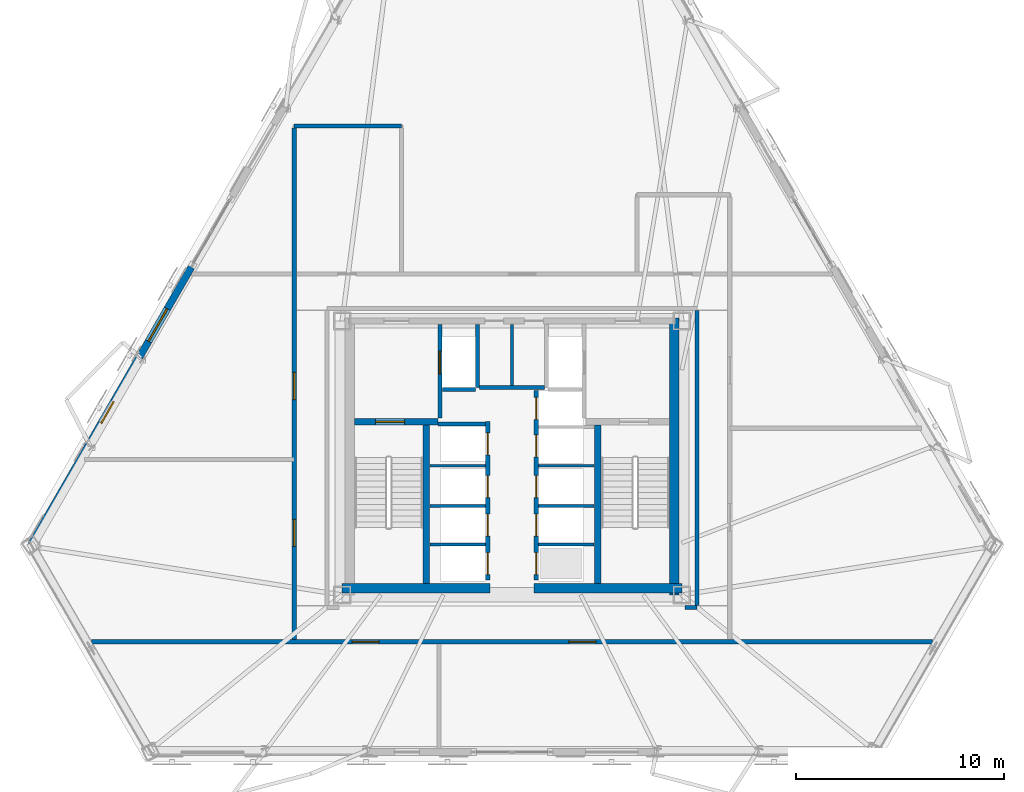
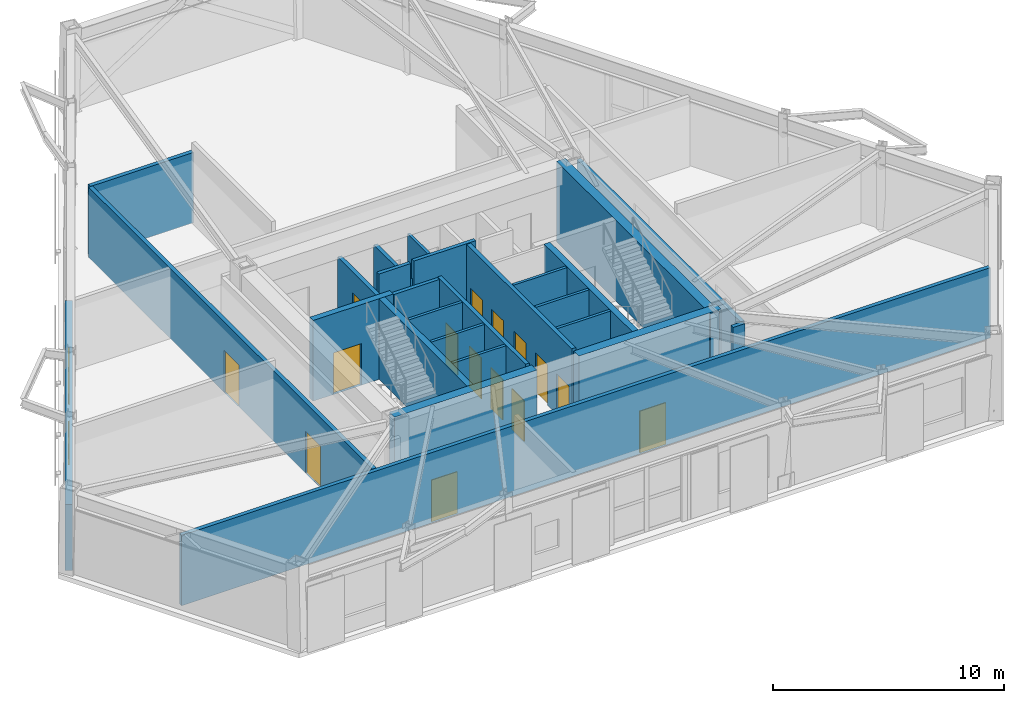
# One storey, part 8 of 14: 26 walls, 15 doors, 2 windows, 17 openings.
"""IFC4 building model written with IfcOpenShell, lengths in metres."""

from ifc_helpers import new_model, si_unit, direction, frame, frame_2d, origin, place, context, subcontext, project, spatial, rectangle, extrude, material, layer, layer_set, type_object, element, fill, save


model = new_model("IFC4")

# Units and contexts
model_context = context("Model", 3, precision=1e-05, world=origin(), true_north=direction((0.0, 1.0)))
body_context = subcontext(model_context, "Body", "Model", "MODEL_VIEW")
ifc_project = project(units=[si_unit("LENGTHUNIT", "METRE"), si_unit("AREAUNIT", "SQUARE_METRE"), si_unit("VOLUMEUNIT", "CUBIC_METRE"), si_unit("PLANEANGLEUNIT", "RADIAN"), si_unit("MASSUNIT", "GRAM", prefix="KILO")], contexts=[model_context])

# Site, building, storey
site_placement = place(None, origin())
site = spatial("IfcSite", under=ifc_project, at=site_placement, CompositionType="ELEMENT")
building_placement = place(site_placement, origin())
building = spatial("IfcBuilding", under=site, at=building_placement, Name="Oramaril Tower", CompositionType="ELEMENT")
storey_placement = place(building_placement, frame((0.0, 0.0, 107.699951171875)))
storey = spatial("IfcBuildingStorey", under=building, at=storey_placement, Name="L28", CompositionType="ELEMENT", Elevation=107.699951171875)

# Wall, openings, windows
ifc_material_1 = material(Name="Warm Cream Limestone", Category="masonry")
ifc_layer_1 = layer(ifc_material_1, 0.340087890625)
ifc_layer_set_1 = layer_set([ifc_layer_1], Name="WT-EXT34")
wall_type_1 = type_object("IfcWallType", Name="WT-EXT34", PredefinedType="SOLIDWALL", material=ifc_layer_set_1)
wall_1_placement = place(storey_placement, frame((22.11376953125, 26.7314453125, 0.0), z_axis=(0.0, 0.0, 1.0), x_axis=(-0.500002645523, -0.866023876385, 0.0)))
wall_1 = element("IfcWall", 1, at=wall_1_placement, inside=storey, type_object=wall_type_1, Name="L28 Tower Limestone Facade Wall 6R", PredefinedType="SOLIDWALL", context=body_context, shape_type="SweptSolid", body=[
    extrude(rectangle(XDim=15.38671875, YDim=0.340087890625, at=frame_2d((7.693359375, 0.0))), origin(), (0.0, 0.0, 1.0), 3.47802734375),
])
opening_1_placement = place(wall_1_placement, frame((2.311279296875, 0.0, 0.85009765625)))
opening_1 = element("IfcOpeningElement", 2, at=opening_1_placement, cuts=wall_1, Name="Opening WN-06", PredefinedType="OPENING", context=body_context, shape_type="SweptSolid", body=[
    extrude(rectangle(XDim=1.800048828125, YDim=1.75, at=frame_2d((0.89990234375, 0.875))), frame((0.0, 0.169921875, 0.0), z_axis=(0.0, -1.0, 0.0), x_axis=(1.0, 0.0, 0.0)), (0.0, 0.0, 1.0), 0.340087890625),
])
opening_2_placement = place(wall_1_placement, frame((7.45361328125, 0.0, 0.85009765625)))
opening_2 = element("IfcOpeningElement", 3, at=opening_2_placement, cuts=wall_1, Name="Opening WN-09", PredefinedType="OPENING", context=body_context, shape_type="SweptSolid", body=[
    extrude(rectangle(XDim=1.199951171875, YDim=1.47998046875, at=frame_2d((0.60009765625, 0.739990234375))), frame((0.0, 0.169921875, 0.0), z_axis=(0.0, -1.0, 0.0), x_axis=(1.0, 0.0, 0.0)), (0.0, 0.0, 1.0), 0.340087890625),
])
ifc_material_2 = material(Name="Coastal Low-E Insulated Glass", Category="glass")
window_type_1 = type_object("IfcWindowType", Name="WNT-06", PartitioningType="SINGLE_PANEL", PredefinedType="WINDOW", material=ifc_material_2)
window_1_placement = place(opening_1_placement, origin())
window_1 = element("IfcWindow", 4, at=window_1_placement, inside=storey, type_object=window_type_1, Name="L28 Chicago Bay Window WN-06", OverallHeight=1.75, OverallWidth=1.800048828125, PartitioningType="SINGLE_PANEL", PredefinedType="WINDOW", context=body_context, shape_type="SweptSolid", body=[
    extrude(rectangle(XDim=1.800048828125, YDim=1.75, at=frame_2d((0.89990234375, 0.875))), frame((0.0, 0.030029296875, 0.0), z_axis=(0.0, -1.0, 0.0), x_axis=(1.0, 0.0, 0.0)), (0.0, 0.0, 1.0), 0.06005859375),
])
fill(opening_1, window_1)
ifc_material_3 = material(Name="Coastal Low-E Insulated Glass", Category="glass")
window_type_2 = type_object("IfcWindowType", Name="WNT-09", PartitioningType="SINGLE_PANEL", PredefinedType="WINDOW", material=ifc_material_3)
window_2_placement = place(opening_2_placement, origin())
window_2 = element("IfcWindow", 5, at=window_2_placement, inside=storey, type_object=window_type_2, Name="L28 Chicago Bay Window WN-09", OverallHeight=1.47998046875, OverallWidth=1.199951171875, PartitioningType="SINGLE_PANEL", PredefinedType="WINDOW", context=body_context, shape_type="SweptSolid", body=[
    extrude(rectangle(XDim=1.199951171875, YDim=1.47998046875, at=frame_2d((0.60009765625, 0.739990234375))), frame((0.0, 0.030029296875, 0.0), z_axis=(0.0, -1.0, 0.0), x_axis=(1.0, 0.0, 0.0)), (0.0, 0.0, 1.0), 0.06005859375),
])
fill(opening_2, window_2)

# Walls
ifc_material_4 = material(Name="Acoustic Gypsum Board Partition")
ifc_layer_2 = layer(ifc_material_4, 0.139892578125)
ifc_layer_set_2 = layer_set([ifc_layer_2], Name="WT-PT14")
wall_type_2 = type_object("IfcWallType", Name="WT-PT14", PredefinedType="PARTITIONING", material=ifc_layer_set_2)
for number, where, z_axis, x_axis, name in (
    (6, (33.56005859375, 13.419921875, 0.0), (0.0, 0.0, 1.0), (1.0, 0.0, 0.0), "L28 West Lift Divider"),
    (7, (33.56005859375, 15.27001953125, 0.0), (0.0, 0.0, 1.0), (1.0, 0.0, 0.0), "L28 West Lift Divider"),
    (8, (33.56005859375, 17.199951171875, 0.0), (0.0, 0.0, 1.0), (1.0, 0.0, 0.0), "L28 West Lift Divider"),
    (9, (38.780029296875, 13.419921875, 0.0), (0.0, 0.0, 1.0), (1.0, 0.0, 0.0), "L28 East Lift Divider"),
    (10, (38.780029296875, 15.27001953125, 0.0), (0.0, 0.0, 1.0), (1.0, 0.0, 0.0), "L28 East Lift Divider"),
    (11, (38.780029296875, 17.199951171875, 0.0), (0.0, 0.0, 1.0), (1.0, 0.0, 0.0), "L28 East Lift Divider"),
):
    element("IfcWall", number, at=place(storey_placement, frame(where, z_axis=z_axis, x_axis=x_axis)), inside=storey, type_object=wall_type_2, Name=name, PredefinedType="PARTITIONING", context=body_context, shape_type="SweptSolid", body=[
        extrude(rectangle(XDim=2.659912109375, YDim=0.139892578125, at=frame_2d((1.330078125, 0.0))), origin(), (0.0, 0.0, 1.0), 4.260009765625),
    ])
wall_2_placement = place(storey_placement, frame((37.5, 21.06005859375, 0.0), z_axis=(0.0, 0.0, 1.0), x_axis=(0.0, 1.0, 0.0)))
element("IfcWall", 12, at=wall_2_placement, inside=storey, type_object=wall_type_2, Name="L28 Core Service Divider", PredefinedType="PARTITIONING", context=body_context, shape_type="SweptSolid", body=[
    extrude(rectangle(XDim=2.919921875, YDim=0.139892578125, at=frame_2d((1.4599609375, 0.0))), origin(), (0.0, 0.0, 1.0), 3.300048828125),
])
ifc_material_5 = material(Name="Autoclaved Cellular Concrete Block", Category="concrete")
ifc_layer_3 = layer(ifc_material_5, 0.179931640625)
ifc_layer_set_3 = layer_set([ifc_layer_3], Name="WT-PT18")
wall_type_3 = type_object("IfcWallType", Name="WT-PT18", PredefinedType="PARTITIONING", material=ifc_layer_set_3)
wall_3_placement = place(storey_placement, frame((35.840087890625, 20.9599609375, 0.0), z_axis=(0.0, 0.0, 1.0), x_axis=(0.0, 1.0, 0.0)))
element("IfcWall", 13, at=wall_3_placement, inside=storey, type_object=wall_type_3, Name="L28 FL-1 East Shaft Wall", PredefinedType="PARTITIONING", context=body_context, shape_type="SweptSolid", body=[
    extrude(rectangle(XDim=3.02001953125, YDim=0.179931640625, at=frame_2d((1.510009765625, 0.0))), origin(), (0.0, 0.0, 1.0), 3.300048828125),
])
wall_4_placement = place(storey_placement, frame((34.159912109375, 20.860107421875, 0.0), z_axis=(0.0, 0.0, 1.0), x_axis=(1.0, 0.0, 0.0)))
element("IfcWall", 14, at=wall_4_placement, inside=storey, type_object=wall_type_3, Name="L28 FL-1 South Shaft Wall", PredefinedType="PARTITIONING", context=body_context, shape_type="SweptSolid", body=[
    extrude(rectangle(XDim=1.580078125, YDim=0.179931640625, at=frame_2d((0.7900390625, 0.0))), origin(), (0.0, 0.0, 1.0), 4.260009765625),
])
wall_5_placement = place(storey_placement, frame((33.949951171875, 19.199951171875, 0.0), z_axis=(0.0, 0.0, 1.0), x_axis=(1.0, 0.0, 0.0)))
element("IfcWall", 15, at=wall_5_placement, inside=storey, type_object=wall_type_3, Name="L28 High-Rise Lift H1 North Shaft Wall", PredefinedType="PARTITIONING", context=body_context, shape_type="SweptSolid", body=[
    extrude(rectangle(XDim=2.27001953125, YDim=0.179931640625, at=frame_2d((1.135009765625, 0.0))), origin(), (0.0, 0.0, 1.0), 4.260009765625),
])
wall_6_placement = place(storey_placement, frame((35.949951171875, 20.949951171875, 0.0), z_axis=(0.0, 0.0, 1.0), x_axis=(1.0, 0.0, 0.0)))
element("IfcWall", 16, at=wall_6_placement, inside=storey, type_object=wall_type_3, Name="L28 Lift Lobby North Partition", PredefinedType="PARTITIONING", context=body_context, shape_type="SweptSolid", body=[
    extrude(rectangle(XDim=3.10009765625, YDim=0.179931640625, at=frame_2d((1.550048828125, 0.0))), origin(), (0.0, 0.0, 1.0), 4.260009765625),
])

# Wall, openings, doors
ifc_material_6 = material(Name="Autoclaved Cellular Concrete Block", Category="concrete")
ifc_layer_4 = layer(ifc_material_6, 0.199951171875)
ifc_layer_set_4 = layer_set([ifc_layer_4], Name="WT-PT20")
wall_type_4 = type_object("IfcWallType", Name="WT-PT20", PredefinedType="PARTITIONING", material=ifc_layer_set_4)
wall_7_placement = place(storey_placement, frame((17.309814453125, 8.75, 0.0), z_axis=(0.0, 0.0, 1.0), x_axis=(1.0, 0.0, 0.0)))
wall_7 = element("IfcWall", 17, at=wall_7_placement, inside=storey, type_object=wall_type_4, Name="L28 Interior Partition PT-20", PredefinedType="PARTITIONING", context=body_context, shape_type="SweptSolid", body=[
    extrude(rectangle(XDim=40.38037109375, YDim=0.199951171875, at=frame_2d((20.190185546875, 0.0))), origin(), (0.0, 0.0, 1.0), 3.714111328125),
])
opening_3_placement = place(wall_7_placement, frame((12.517822265625, 0.0, 0.0)))
opening_3 = element("IfcOpeningElement", 18, at=opening_3_placement, cuts=wall_7, Name="Opening D-L28-01", PredefinedType="OPENING", context=body_context, shape_type="SweptSolid", body=[
    extrude(rectangle(XDim=1.300048828125, YDim=2.199951171875, at=frame_2d((0.64990234375, 1.10009765625))), frame((0.0, 0.10009765625, 0.0), z_axis=(0.0, -1.0, 0.0), x_axis=(1.0, 0.0, 0.0)), (0.0, 0.0, 1.0), 0.199951171875),
])
opening_4_placement = place(wall_7_placement, frame((22.914306640625, 0.0, 0.0)))
opening_4 = element("IfcOpeningElement", 19, at=opening_4_placement, cuts=wall_7, Name="Opening D-L28-02", PredefinedType="OPENING", context=body_context, shape_type="SweptSolid", body=[
    extrude(rectangle(XDim=1.300048828125, YDim=2.199951171875, at=frame_2d((0.64990234375, 1.10009765625))), frame((0.0, 0.10009765625, 0.0), z_axis=(0.0, -1.0, 0.0), x_axis=(1.0, 0.0, 0.0)), (0.0, 0.0, 1.0), 0.199951171875),
])
ifc_material_7 = material(Name="FSC Brazilian Freijo Hardwood", Category="wood")
door_type_1 = type_object("IfcDoorType", Name="DT-COM", OperationType="NOTDEFINED", PredefinedType="DOOR", material=ifc_material_7)
door_1_placement = place(opening_3_placement, origin())
door_1 = element("IfcDoor", 20, at=door_1_placement, inside=storey, type_object=door_type_1, Name="L28 L28 Panoramic Sky Lounge Door D-L28-01", OperationType="SINGLE_SWING_LEFT", OverallHeight=2.199951171875, OverallWidth=1.300048828125, PredefinedType="DOOR", context=body_context, shape_type="SweptSolid", body=[
    extrude(rectangle(XDim=1.300048828125, YDim=2.199951171875, at=frame_2d((0.64990234375, 1.10009765625))), frame((0.0, 0.02490234375, 0.0), z_axis=(0.0, -1.0, 0.0), x_axis=(1.0, 0.0, 0.0)), (0.0, 0.0, 1.0), 0.050048828125),
])
fill(opening_3, door_1)
door_2_placement = place(opening_4_placement, origin())
door_2 = element("IfcDoor", 21, at=door_2_placement, inside=storey, type_object=door_type_1, Name="L28 L28 Sky Dining Room and Bistro Door D-L28-02", OperationType="SINGLE_SWING_RIGHT", OverallHeight=2.199951171875, OverallWidth=1.300048828125, PredefinedType="DOOR", context=body_context, shape_type="SweptSolid", body=[
    extrude(rectangle(XDim=1.300048828125, YDim=2.199951171875, at=frame_2d((0.64990234375, 1.10009765625))), frame((0.0, 0.02490234375, 0.0), z_axis=(0.0, -1.0, 0.0), x_axis=(1.0, 0.0, 0.0)), (0.0, 0.0, 1.0), 0.050048828125),
])
fill(opening_4, door_2)

# Walls
wall_8_placement = place(storey_placement, frame((45.800048828125, 10.39990234375, 0.0), z_axis=(0.0, 0.0, 1.0), x_axis=(1.0, 0.0, 0.0)))
element("IfcWall", 22, at=wall_8_placement, inside=storey, type_object=wall_type_4, Name="L28 Interior Partition PT-20", PredefinedType="PARTITIONING", context=body_context, shape_type="SweptSolid", body=[
    extrude(rectangle(XDim=0.579833984375, YDim=0.199951171875, at=frame_2d((0.2900390625, 0.0))), origin(), (0.0, 0.0, 1.0), 3.714111328125),
])
wall_9_placement = place(storey_placement, frame((27.050048828125, 33.5, 0.0), z_axis=(0.0, 0.0, 1.0), x_axis=(1.0, 0.0, 0.0)))
element("IfcWall", 23, at=wall_9_placement, inside=storey, type_object=wall_type_4, Name="L28 Interior Partition PT-20", PredefinedType="PARTITIONING", context=body_context, shape_type="SweptSolid", body=[
    extrude(rectangle(XDim=5.14990234375, YDim=0.199951171875, at=frame_2d((2.574951171875, 0.0))), origin(), (0.0, 0.0, 1.0), 3.714111328125),
])

# Wall, openings, doors
wall_10_placement = place(storey_placement, frame((27.050048828125, 8.85400390625, 0.0), z_axis=(0.0, 0.0, 1.0), x_axis=(0.0, 1.0, 0.0)))
wall_10 = element("IfcWall", 24, at=wall_10_placement, inside=storey, type_object=wall_type_4, Name="L28 Interior Partition PT-20", PredefinedType="PARTITIONING", context=body_context, shape_type="SweptSolid", body=[
    extrude(rectangle(XDim=24.5419921875, YDim=0.199951171875, at=frame_2d((12.27099609375, 0.0))), origin(), (0.0, 0.0, 1.0), 3.714111328125),
])
opening_5_placement = place(wall_10_placement, frame((4.471923828125, 0.0, 0.0)))
opening_5 = element("IfcOpeningElement", 25, at=opening_5_placement, cuts=wall_10, Name="Opening D-L28-06", PredefinedType="OPENING", context=body_context, shape_type="SweptSolid", body=[
    extrude(rectangle(XDim=1.300048828125, YDim=2.199951171875, at=frame_2d((0.64990234375, 1.10009765625))), frame((0.0, 0.10009765625, 0.0), z_axis=(0.0, -1.0, 0.0), x_axis=(1.0, 0.0, 0.0)), (0.0, 0.0, 1.0), 0.199951171875),
])
opening_6_placement = place(wall_10_placement, frame((11.521484375, 0.0, 0.0)))
opening_6 = element("IfcOpeningElement", 26, at=opening_6_placement, cuts=wall_10, Name="Opening D-L28-07", PredefinedType="OPENING", context=body_context, shape_type="SweptSolid", body=[
    extrude(rectangle(XDim=1.300048828125, YDim=2.199951171875, at=frame_2d((0.64990234375, 1.10009765625))), frame((0.0, 0.10009765625, 0.0), z_axis=(0.0, -1.0, 0.0), x_axis=(1.0, 0.0, 0.0)), (0.0, 0.0, 1.0), 0.199951171875),
])
door_3_placement = place(opening_5_placement, origin())
door_3 = element("IfcDoor", 27, at=door_3_placement, inside=storey, type_object=door_type_1, Name="L28 L28 Sky Catering Kitchen Door D-L28-06", OperationType="SINGLE_SWING_RIGHT", OverallHeight=2.199951171875, OverallWidth=1.300048828125, PredefinedType="DOOR", context=body_context, shape_type="SweptSolid", body=[
    extrude(rectangle(XDim=1.300048828125, YDim=2.199951171875, at=frame_2d((0.64990234375, 1.10009765625))), frame((0.0, 0.02490234375, 0.0), z_axis=(0.0, -1.0, 0.0), x_axis=(1.0, 0.0, 0.0)), (0.0, 0.0, 1.0), 0.050048828125),
])
fill(opening_5, door_3)
door_4_placement = place(opening_6_placement, origin())
door_4 = element("IfcDoor", 28, at=door_4_placement, inside=storey, type_object=door_type_1, Name="L28 L28 Sky Reading Study Door D-L28-07", OperationType="SINGLE_SWING_LEFT", OverallHeight=2.199951171875, OverallWidth=1.300048828125, PredefinedType="DOOR", context=body_context, shape_type="SweptSolid", body=[
    extrude(rectangle(XDim=1.300048828125, YDim=2.199951171875, at=frame_2d((0.64990234375, 1.10009765625))), frame((0.0, 0.02490234375, 0.0), z_axis=(0.0, -1.0, 0.0), x_axis=(1.0, 0.0, 0.0)), (0.0, 0.0, 1.0), 0.050048828125),
])
fill(opening_6, door_4)

# Wall
wall_11_placement = place(storey_placement, frame((46.3798828125, 10.50390625, 0.0), z_axis=(0.0, 0.0, 1.0), x_axis=(0.0, 1.0, 0.0)))
element("IfcWall", 29, at=wall_11_placement, inside=storey, type_object=wall_type_4, Name="L28 Interior Partition PT-20", PredefinedType="PARTITIONING", context=body_context, shape_type="SweptSolid", body=[
    extrude(rectangle(XDim=14.14208984375, YDim=0.199951171875, at=frame_2d((7.071044921875, 0.0))), origin(), (0.0, 0.0, 1.0), 3.714111328125),
])

# Wall, opening, door
ifc_material_8 = material(Name="Concrete C50/60", Category="concrete")
ifc_layer_5 = layer(ifc_material_8, 0.300048828125)
ifc_layer_set_5 = layer_set([ifc_layer_5], Name="WT-SH30")
wall_type_5 = type_object("IfcWallType", Name="WT-SH30", PredefinedType="SHEAR", material=ifc_layer_set_5)
wall_12_placement = place(storey_placement, frame((29.93994140625, 19.31005859375, 0.0), z_axis=(0.0, 0.0, 1.0), x_axis=(1.0, 0.0, 0.0)))
wall_12 = element("IfcWall", 30, at=wall_12_placement, inside=storey, type_object=wall_type_5, Name="L28 Core Shear Wall CW-ST1N", PredefinedType="SHEAR", context=body_context, shape_type="SweptSolid", body=[
    extrude(rectangle(XDim=4.010009765625, YDim=0.300048828125, at=frame_2d((2.0048828125, 0.0))), origin(), (0.0, 0.0, 1.0), 4.260009765625),
])
opening_7_placement = place(wall_12_placement, frame((1.010009765625, 0.0, 0.0)))
opening_7 = element("IfcOpeningElement", 31, at=opening_7_placement, cuts=wall_12, Name="Opening D-L28-ST1", PredefinedType="OPENING", context=body_context, shape_type="SweptSolid", body=[
    extrude(rectangle(XDim=1.39990234375, YDim=2.199951171875, at=frame_2d((0.699951171875, 1.10009765625))), frame((0.0, 0.14990234375, 0.0), z_axis=(0.0, -1.0, 0.0), x_axis=(1.0, 0.0, 0.0)), (0.0, 0.0, 1.0), 0.300048828125),
])
ifc_material_9 = material(Name="Painted Galvanised Steel", Category="steel")
door_type_2 = type_object("IfcDoorType", Name="DT-ST", OperationType="NOTDEFINED", PredefinedType="DOOR", material=ifc_material_9)
door_5_placement = place(opening_7_placement, origin())
door_5 = element("IfcDoor", 32, at=door_5_placement, inside=storey, type_object=door_type_2, Name="L28 Protected Stair ST-1 Fire Door", OperationType="SINGLE_SWING_LEFT", OverallHeight=2.199951171875, OverallWidth=1.39990234375, PredefinedType="DOOR", context=body_context, shape_type="SweptSolid", body=[
    extrude(rectangle(XDim=1.39990234375, YDim=2.199951171875, at=frame_2d((0.699951171875, 1.10009765625))), frame((0.0, 0.02490234375, 0.0), z_axis=(0.0, -1.0, 0.0), x_axis=(1.0, 0.0, 0.0)), (0.0, 0.0, 1.0), 0.050048828125),
])
fill(opening_7, door_5)

# Walls
for number, where, z_axis, x_axis, name in (
    (33, (33.3798828125, 11.5400390625, 0.0), (0.0, 0.0, 1.0), (0.0, 1.0, 0.0), "L28 Core Shear Wall CW-ST1E"),
    (34, (41.6201171875, 11.5400390625, 0.0), (0.0, 0.0, 1.0), (0.0, 1.0, 0.0), "L28 Core Shear Wall CW-ST2W"),
):
    element("IfcWall", number, at=place(storey_placement, frame(where, z_axis=z_axis, x_axis=x_axis)), inside=storey, type_object=wall_type_5, Name=name, PredefinedType="SHEAR", context=body_context, shape_type="SweptSolid", body=[
        extrude(rectangle(XDim=7.619873046875, YDim=0.300048828125, at=frame_2d((3.81005859375, 0.0))), origin(), (0.0, 0.0, 1.0), 4.260009765625),
    ])
ifc_material_10 = material(Name="Concrete C50/60", Category="concrete")
ifc_layer_6 = layer(ifc_material_10, 0.449951171875)
ifc_layer_set_6 = layer_set([ifc_layer_6], Name="WT-SH45")
wall_type_6 = type_object("IfcWallType", Name="WT-SH45", PredefinedType="SHEAR", material=ifc_layer_set_6)
wall_13_placement = place(storey_placement, frame((45.284912109375, 11.0, 0.0), z_axis=(0.0, 0.0, 1.0), x_axis=(0.0, 1.0, 0.0)))
element("IfcWall", 35, at=wall_13_placement, inside=storey, type_object=wall_type_6, Name="L28 Core Shear Wall CW-E", PredefinedType="SHEAR", context=body_context, shape_type="SweptSolid", body=[
    extrude(rectangle(XDim=13.300048828125, YDim=0.449951171875, at=frame_2d((6.64990234375, 0.0))), origin(), (0.0, 0.0, 1.0), 4.260009765625),
])
for number, where, z_axis, x_axis, name in (
    (36, (29.35009765625, 11.31494140625, 0.0), (0.0, 0.0, 1.0), (1.0, 0.0, 0.0), "L28 Core Shear Wall CW-SW"),
    (37, (38.550048828125, 11.31494140625, 0.0), (0.0, 0.0, 1.0), (1.0, 0.0, 0.0), "L28 Core Shear Wall CW-SE"),
):
    element("IfcWall", number, at=place(storey_placement, frame(where, z_axis=z_axis, x_axis=x_axis)), inside=storey, type_object=wall_type_6, Name=name, PredefinedType="SHEAR", context=body_context, shape_type="SweptSolid", body=[
        extrude(rectangle(XDim=7.099853515625, YDim=0.449951171875, at=frame_2d((3.5498046875, 0.0))), origin(), (0.0, 0.0, 1.0), 4.260009765625),
    ])

# Wall, opening, door
ifc_material_11 = material(Name="Autoclaved Cellular Concrete Block", Category="concrete")
ifc_layer_7 = layer(ifc_material_11, 0.199951171875)
ifc_layer_set_7 = layer_set([ifc_layer_7], Name="WT-SHF20")
wall_type_7 = type_object("IfcWallType", Name="WT-SHF20", PredefinedType="PARTITIONING", material=ifc_layer_set_7)
wall_14_placement = place(storey_placement, frame((34.0400390625, 19.47998046875, 0.0), z_axis=(0.0, 0.0, 1.0), x_axis=(0.0, 1.0, 0.0)))
wall_14 = element("IfcWall", 38, at=wall_14_placement, inside=storey, type_object=wall_type_7, Name="L28 FL-1 Lobby Shaft Wall", PredefinedType="PARTITIONING", context=body_context, shape_type="SweptSolid", body=[
    extrude(rectangle(XDim=4.5, YDim=0.199951171875, at=frame_2d((2.25, 0.0))), origin(), (0.0, 0.0, 1.0), 3.300048828125),
])
opening_8_placement = place(wall_14_placement, frame((2.1201171875, 0.0, 0.0)))
opening_8 = element("IfcOpeningElement", 39, at=opening_8_placement, cuts=wall_14, Name="Opening LD-L28-FL-1", PredefinedType="OPENING", context=body_context, shape_type="SweptSolid", body=[
    extrude(rectangle(XDim=1.10009765625, YDim=2.199951171875, at=frame_2d((0.550048828125, 1.10009765625))), frame((0.0, 0.10009765625, 0.0), z_axis=(0.0, -1.0, 0.0), x_axis=(1.0, 0.0, 0.0)), (0.0, 0.0, 1.0), 0.199951171875),
])
ifc_material_12 = material(Name="Stainless Steel 316L", Category="steel")
door_type_3 = type_object("IfcDoorType", Name="DT-LD1", OperationType="NOTDEFINED", PredefinedType="DOOR", material=ifc_material_12)
door_6_placement = place(opening_8_placement, origin())
door_6 = element("IfcDoor", 40, at=door_6_placement, inside=storey, type_object=door_type_3, Name="L28 Lift FL-1 Sliding Landing Door", OperationType="SLIDING_TO_LEFT", OverallHeight=2.199951171875, OverallWidth=1.10009765625, PredefinedType="DOOR", context=body_context, shape_type="SweptSolid", body=[
    extrude(rectangle(XDim=1.10009765625, YDim=2.199951171875, at=frame_2d((0.550048828125, 1.10009765625))), frame((0.0, 0.02490234375, 0.0), z_axis=(0.0, -1.0, 0.0), x_axis=(1.0, 0.0, 0.0)), (0.0, 0.0, 1.0), 0.050048828125),
])
fill(opening_8, door_6)

# Wall, openings, doors
wall_15_placement = place(storey_placement, frame((36.340087890625, 11.719970703125, 0.0), z_axis=(0.0, 0.0, 1.0), x_axis=(0.0, 1.0, 0.0)))
wall_15 = element("IfcWall", 41, at=wall_15_placement, inside=storey, type_object=wall_type_7, Name="L28 West Lift Bank Front Wall", PredefinedType="PARTITIONING", context=body_context, shape_type="SweptSolid", body=[
    extrude(rectangle(XDim=7.60009765625, YDim=0.199951171875, at=frame_2d((3.800048828125, 0.0))), origin(), (0.0, 0.0, 1.0), 4.260009765625),
])
opening_9_placement = place(wall_15_placement, frame((0.2548828125, 0.0, 0.0)))
opening_9 = element("IfcOpeningElement", 42, at=opening_9_placement, cuts=wall_15, Name="Opening LD-L28-LP-L1", PredefinedType="OPENING", context=body_context, shape_type="SweptSolid", body=[
    extrude(rectangle(XDim=1.050048828125, YDim=2.14990234375, at=frame_2d((0.52490234375, 1.074951171875))), frame((0.0, 0.10009765625, 0.0), z_axis=(0.0, -1.0, 0.0), x_axis=(1.0, 0.0, 0.0)), (0.0, 0.0, 1.0), 0.199951171875),
])
opening_10_placement = place(wall_15_placement, frame((2.10498046875, 0.0, 0.0)))
opening_10 = element("IfcOpeningElement", 43, at=opening_10_placement, cuts=wall_15, Name="Opening LD-L28-LP-L2", PredefinedType="OPENING", context=body_context, shape_type="SweptSolid", body=[
    extrude(rectangle(XDim=1.050048828125, YDim=2.14990234375, at=frame_2d((0.52490234375, 1.074951171875))), frame((0.0, 0.10009765625, 0.0), z_axis=(0.0, -1.0, 0.0), x_axis=(1.0, 0.0, 0.0)), (0.0, 0.0, 1.0), 0.199951171875),
])
opening_11_placement = place(wall_15_placement, frame((3.955078125, 0.0, 0.0)))
opening_11 = element("IfcOpeningElement", 44, at=opening_11_placement, cuts=wall_15, Name="Opening LD-L28-LP-L3", PredefinedType="OPENING", context=body_context, shape_type="SweptSolid", body=[
    extrude(rectangle(XDim=1.050048828125, YDim=2.14990234375, at=frame_2d((0.52490234375, 1.074951171875))), frame((0.0, 0.10009765625, 0.0), z_axis=(0.0, -1.0, 0.0), x_axis=(1.0, 0.0, 0.0)), (0.0, 0.0, 1.0), 0.199951171875),
])
opening_12_placement = place(wall_15_placement, frame((6.0048828125, 0.0, 0.0)))
opening_12 = element("IfcOpeningElement", 45, at=opening_12_placement, cuts=wall_15, Name="Opening LD-L28-LP-H1", PredefinedType="OPENING", context=body_context, shape_type="SweptSolid", body=[
    extrude(rectangle(XDim=1.050048828125, YDim=2.14990234375, at=frame_2d((0.52490234375, 1.074951171875))), frame((0.0, 0.10009765625, 0.0), z_axis=(0.0, -1.0, 0.0), x_axis=(1.0, 0.0, 0.0)), (0.0, 0.0, 1.0), 0.199951171875),
])
ifc_material_13 = material(Name="Stainless Steel 316L", Category="steel")
door_type_4 = type_object("IfcDoorType", Name="DT-LD2", OperationType="NOTDEFINED", PredefinedType="DOOR", material=ifc_material_13)
door_7_placement = place(opening_9_placement, origin())
door_7 = element("IfcDoor", 46, at=door_7_placement, inside=storey, type_object=door_type_4, Name="L28 Lift LP-L1 Sliding Landing Door", OperationType="SLIDING_TO_LEFT", OverallHeight=2.14990234375, OverallWidth=1.050048828125, PredefinedType="DOOR", context=body_context, shape_type="SweptSolid", body=[
    extrude(rectangle(XDim=1.050048828125, YDim=2.14990234375, at=frame_2d((0.52490234375, 1.074951171875))), frame((0.0, 0.02490234375, 0.0), z_axis=(0.0, -1.0, 0.0), x_axis=(1.0, 0.0, 0.0)), (0.0, 0.0, 1.0), 0.050048828125),
])
fill(opening_9, door_7)
door_8_placement = place(opening_10_placement, origin())
door_8 = element("IfcDoor", 47, at=door_8_placement, inside=storey, type_object=door_type_4, Name="L28 Lift LP-L2 Sliding Landing Door", OperationType="SLIDING_TO_RIGHT", OverallHeight=2.14990234375, OverallWidth=1.050048828125, PredefinedType="DOOR", context=body_context, shape_type="SweptSolid", body=[
    extrude(rectangle(XDim=1.050048828125, YDim=2.14990234375, at=frame_2d((0.52490234375, 1.074951171875))), frame((0.0, 0.02490234375, 0.0), z_axis=(0.0, -1.0, 0.0), x_axis=(1.0, 0.0, 0.0)), (0.0, 0.0, 1.0), 0.050048828125),
])
fill(opening_10, door_8)
door_9_placement = place(opening_11_placement, origin())
door_9 = element("IfcDoor", 48, at=door_9_placement, inside=storey, type_object=door_type_4, Name="L28 Lift LP-L3 Sliding Landing Door", OperationType="SLIDING_TO_LEFT", OverallHeight=2.14990234375, OverallWidth=1.050048828125, PredefinedType="DOOR", context=body_context, shape_type="SweptSolid", body=[
    extrude(rectangle(XDim=1.050048828125, YDim=2.14990234375, at=frame_2d((0.52490234375, 1.074951171875))), frame((0.0, 0.02490234375, 0.0), z_axis=(0.0, -1.0, 0.0), x_axis=(1.0, 0.0, 0.0)), (0.0, 0.0, 1.0), 0.050048828125),
])
fill(opening_11, door_9)
door_10_placement = place(opening_12_placement, origin())
door_10 = element("IfcDoor", 49, at=door_10_placement, inside=storey, type_object=door_type_4, Name="L28 Lift LP-H1 Sliding Landing Door", OperationType="SLIDING_TO_LEFT", OverallHeight=2.14990234375, OverallWidth=1.050048828125, PredefinedType="DOOR", context=body_context, shape_type="SweptSolid", body=[
    extrude(rectangle(XDim=1.050048828125, YDim=2.14990234375, at=frame_2d((0.52490234375, 1.074951171875))), frame((0.0, 0.02490234375, 0.0), z_axis=(0.0, -1.0, 0.0), x_axis=(1.0, 0.0, 0.0)), (0.0, 0.0, 1.0), 0.050048828125),
])
fill(opening_12, door_10)

wall_16_placement = place(storey_placement, frame((38.659912109375, 11.719970703125, 0.0), z_axis=(0.0, 0.0, 1.0), x_axis=(0.0, 1.0, 0.0)))
wall_16 = element("IfcWall", 50, at=wall_16_placement, inside=storey, type_object=wall_type_7, Name="L28 East Lift Bank Front Wall", PredefinedType="PARTITIONING", context=body_context, shape_type="SweptSolid", body=[
    extrude(rectangle(XDim=9.10009765625, YDim=0.199951171875, at=frame_2d((4.550048828125, 0.0))), origin(), (0.0, 0.0, 1.0), 4.260009765625),
])
opening_13_placement = place(wall_16_placement, frame((0.2548828125, 0.0, 0.0)))
opening_13 = element("IfcOpeningElement", 51, at=opening_13_placement, cuts=wall_16, Name="Opening LD-L28-LP-M1", PredefinedType="OPENING", context=body_context, shape_type="SweptSolid", body=[
    extrude(rectangle(XDim=1.050048828125, YDim=2.14990234375, at=frame_2d((0.52490234375, 1.074951171875))), frame((0.0, 0.10009765625, 0.0), z_axis=(0.0, -1.0, 0.0), x_axis=(1.0, 0.0, 0.0)), (0.0, 0.0, 1.0), 0.199951171875),
])
opening_14_placement = place(wall_16_placement, frame((2.10498046875, 0.0, 0.0)))
opening_14 = element("IfcOpeningElement", 52, at=opening_14_placement, cuts=wall_16, Name="Opening LD-L28-LP-M2", PredefinedType="OPENING", context=body_context, shape_type="SweptSolid", body=[
    extrude(rectangle(XDim=1.050048828125, YDim=2.14990234375, at=frame_2d((0.52490234375, 1.074951171875))), frame((0.0, 0.10009765625, 0.0), z_axis=(0.0, -1.0, 0.0), x_axis=(1.0, 0.0, 0.0)), (0.0, 0.0, 1.0), 0.199951171875),
])
opening_15_placement = place(wall_16_placement, frame((3.955078125, 0.0, 0.0)))
opening_15 = element("IfcOpeningElement", 53, at=opening_15_placement, cuts=wall_16, Name="Opening LD-L28-LP-M3", PredefinedType="OPENING", context=body_context, shape_type="SweptSolid", body=[
    extrude(rectangle(XDim=1.050048828125, YDim=2.14990234375, at=frame_2d((0.52490234375, 1.074951171875))), frame((0.0, 0.10009765625, 0.0), z_axis=(0.0, -1.0, 0.0), x_axis=(1.0, 0.0, 0.0)), (0.0, 0.0, 1.0), 0.199951171875),
])
opening_16_placement = place(wall_16_placement, frame((5.905029296875, 0.0, 0.0)))
opening_16 = element("IfcOpeningElement", 54, at=opening_16_placement, cuts=wall_16, Name="Opening LD-L28-LP-H2", PredefinedType="OPENING", context=body_context, shape_type="SweptSolid", body=[
    extrude(rectangle(XDim=1.050048828125, YDim=2.14990234375, at=frame_2d((0.52490234375, 1.074951171875))), frame((0.0, 0.10009765625, 0.0), z_axis=(0.0, -1.0, 0.0), x_axis=(1.0, 0.0, 0.0)), (0.0, 0.0, 1.0), 0.199951171875),
])
opening_17_placement = place(wall_16_placement, frame((7.705078125, 0.0, 0.0)))
opening_17 = element("IfcOpeningElement", 55, at=opening_17_placement, cuts=wall_16, Name="Opening LD-L28-LP-H3", PredefinedType="OPENING", context=body_context, shape_type="SweptSolid", body=[
    extrude(rectangle(XDim=1.050048828125, YDim=2.14990234375, at=frame_2d((0.52490234375, 1.074951171875))), frame((0.0, 0.10009765625, 0.0), z_axis=(0.0, -1.0, 0.0), x_axis=(1.0, 0.0, 0.0)), (0.0, 0.0, 1.0), 0.199951171875),
])
door_11_placement = place(opening_13_placement, origin())
door_11 = element("IfcDoor", 56, at=door_11_placement, inside=storey, type_object=door_type_4, Name="L28 Lift LP-M1 Sliding Landing Door", OperationType="SLIDING_TO_RIGHT", OverallHeight=2.14990234375, OverallWidth=1.050048828125, PredefinedType="DOOR", context=body_context, shape_type="SweptSolid", body=[
    extrude(rectangle(XDim=1.050048828125, YDim=2.14990234375, at=frame_2d((0.52490234375, 1.074951171875))), frame((0.0, 0.02490234375, 0.0), z_axis=(0.0, -1.0, 0.0), x_axis=(1.0, 0.0, 0.0)), (0.0, 0.0, 1.0), 0.050048828125),
])
fill(opening_13, door_11)
door_12_placement = place(opening_14_placement, origin())
door_12 = element("IfcDoor", 57, at=door_12_placement, inside=storey, type_object=door_type_4, Name="L28 Lift LP-M2 Sliding Landing Door", OperationType="SLIDING_TO_LEFT", OverallHeight=2.14990234375, OverallWidth=1.050048828125, PredefinedType="DOOR", context=body_context, shape_type="SweptSolid", body=[
    extrude(rectangle(XDim=1.050048828125, YDim=2.14990234375, at=frame_2d((0.52490234375, 1.074951171875))), frame((0.0, 0.02490234375, 0.0), z_axis=(0.0, -1.0, 0.0), x_axis=(1.0, 0.0, 0.0)), (0.0, 0.0, 1.0), 0.050048828125),
])
fill(opening_14, door_12)
door_13_placement = place(opening_15_placement, origin())
door_13 = element("IfcDoor", 58, at=door_13_placement, inside=storey, type_object=door_type_4, Name="L28 Lift LP-M3 Sliding Landing Door", OperationType="SLIDING_TO_RIGHT", OverallHeight=2.14990234375, OverallWidth=1.050048828125, PredefinedType="DOOR", context=body_context, shape_type="SweptSolid", body=[
    extrude(rectangle(XDim=1.050048828125, YDim=2.14990234375, at=frame_2d((0.52490234375, 1.074951171875))), frame((0.0, 0.02490234375, 0.0), z_axis=(0.0, -1.0, 0.0), x_axis=(1.0, 0.0, 0.0)), (0.0, 0.0, 1.0), 0.050048828125),
])
fill(opening_15, door_13)
door_14_placement = place(opening_16_placement, origin())
door_14 = element("IfcDoor", 59, at=door_14_placement, inside=storey, type_object=door_type_4, Name="L28 Lift LP-H2 Sliding Landing Door", OperationType="SLIDING_TO_RIGHT", OverallHeight=2.14990234375, OverallWidth=1.050048828125, PredefinedType="DOOR", context=body_context, shape_type="SweptSolid", body=[
    extrude(rectangle(XDim=1.050048828125, YDim=2.14990234375, at=frame_2d((0.52490234375, 1.074951171875))), frame((0.0, 0.02490234375, 0.0), z_axis=(0.0, -1.0, 0.0), x_axis=(1.0, 0.0, 0.0)), (0.0, 0.0, 1.0), 0.050048828125),
])
fill(opening_16, door_14)
door_15_placement = place(opening_17_placement, origin())
door_15 = element("IfcDoor", 60, at=door_15_placement, inside=storey, type_object=door_type_4, Name="L28 Lift LP-H3 Sliding Landing Door", OperationType="SLIDING_TO_LEFT", OverallHeight=2.14990234375, OverallWidth=1.050048828125, PredefinedType="DOOR", context=body_context, shape_type="SweptSolid", body=[
    extrude(rectangle(XDim=1.050048828125, YDim=2.14990234375, at=frame_2d((0.52490234375, 1.074951171875))), frame((0.0, 0.02490234375, 0.0), z_axis=(0.0, -1.0, 0.0), x_axis=(1.0, 0.0, 0.0)), (0.0, 0.0, 1.0), 0.050048828125),
])
fill(opening_17, door_15)

save(model, "model.ifc")
